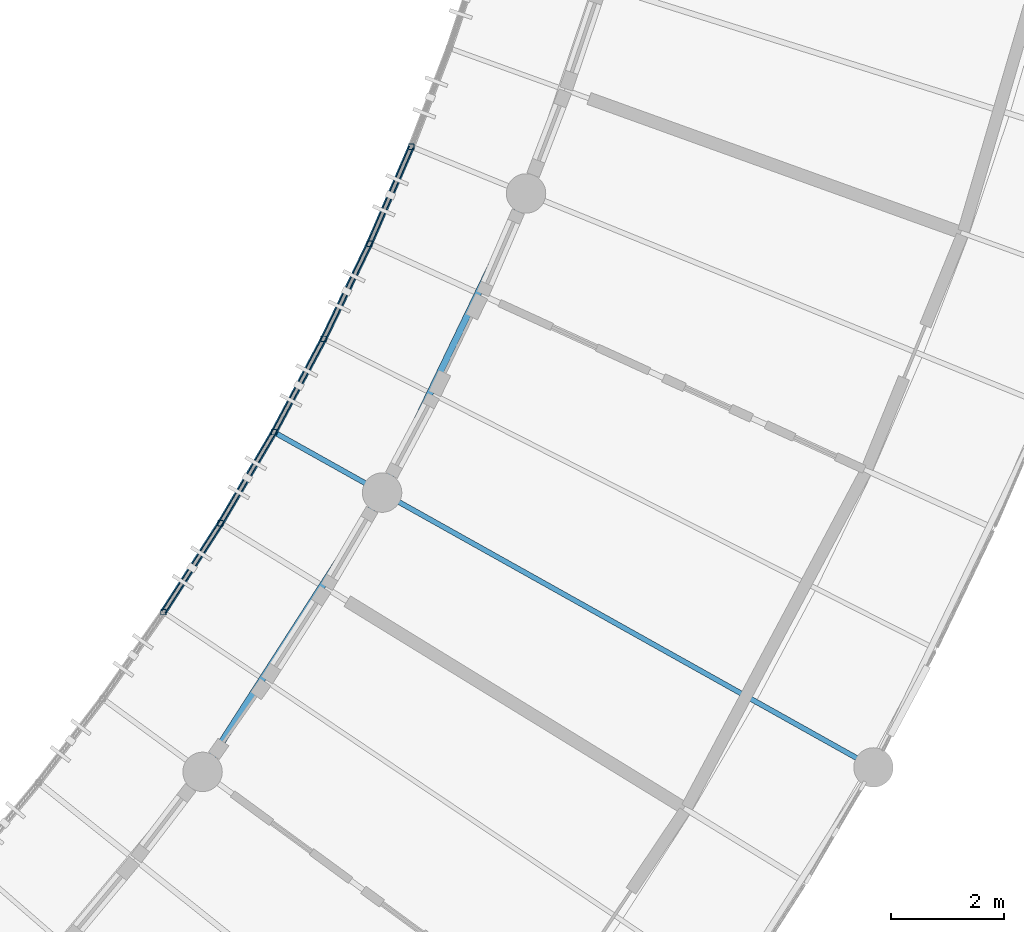
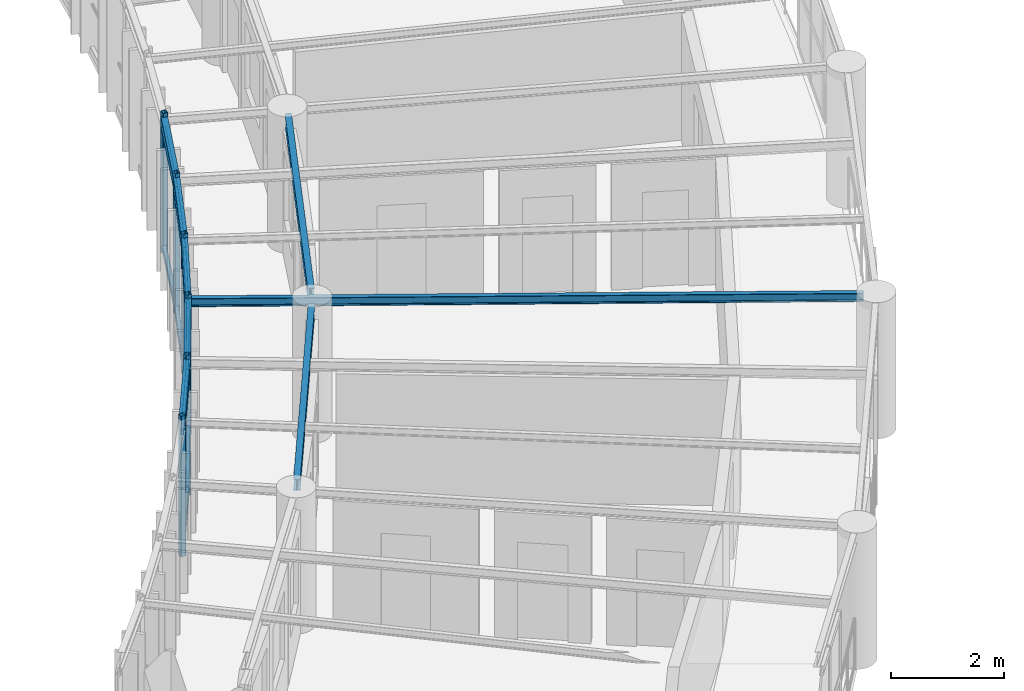
# One storey, part 13 of 123: 16 members, 8 beams.
"""IFC4 building model written with IfcOpenShell, lengths in metres."""

from ifc_helpers import new_model, si_unit, direction, frame, origin, origin_2d, place, context, subcontext, project, spatial, hollow_rectangle, i_section, extrude, material, material_profile, profile_set, type_object, element, save


model = new_model("IFC4")

# Units and contexts
model_context = context("Model", 3, precision=1e-05, world=origin(), true_north=direction((0.0, 1.0)))
body_context = subcontext(model_context, "Body", "Model", "MODEL_VIEW")
ifc_project = project(units=[si_unit("LENGTHUNIT", "METRE"), si_unit("AREAUNIT", "SQUARE_METRE"), si_unit("VOLUMEUNIT", "CUBIC_METRE"), si_unit("PLANEANGLEUNIT", "RADIAN"), si_unit("MASSUNIT", "GRAM", prefix="KILO"), si_unit("POWERUNIT", "WATT"), si_unit("THERMODYNAMICTEMPERATUREUNIT", "KELVIN")], contexts=[model_context])

# Site, building, storey
site_placement = place(None, origin())
site = spatial("IfcSite", under=ifc_project, at=site_placement, CompositionType="ELEMENT")
building_placement = place(site_placement, origin())
building = spatial("IfcBuilding", under=site, at=building_placement, Name="Ruvembo Vaulted Housing Court", CompositionType="ELEMENT")
storey_placement = place(building_placement, frame((0.0, 0.0, 7.699951171875)))
storey = spatial("IfcBuildingStorey", under=building, at=storey_placement, Name="L02", CompositionType="ELEMENT", Elevation=7.699951171875)

# Beams
ifc_material = material(Name="Steel S355J2", Category="steel")
ifc_material_profile_1 = material_profile(ifc_material, i_section(OverallWidth=0.091064453125, OverallDepth=0.179931640625, WebThickness=0.00537109375, FlangeThickness=0.008056640625, FilletRadius=0.009033203125, at=origin_2d()), Name="IPE 180")
ifc_profile_set_1 = profile_set([ifc_material_profile_1], Name="Steel S355J2")
beam_type_1 = type_object("IfcBeamType", Name="BM-ST-IPE180", PredefinedType="JOIST", material=ifc_profile_set_1)
beam_1_placement = place(storey_placement, frame((52.420166015625, 45.801025390625, 2.85009765625), z_axis=(-0.872779724125, 0.488114282885, 0.0), x_axis=(-0.488114282885, -0.872779724125, 0.0)))
element("IfcBeam", 1, at=beam_1_placement, inside=storey, type_object=beam_type_1, Name="Scoop SC1 L02 Radial Steel Joist 6", PredefinedType="JOIST", context=body_context, shape_type="SweptSolid", body=[
    extrude(i_section(OverallWidth=0.091064453125, OverallDepth=0.179931640625, WebThickness=0.00537109375, FlangeThickness=0.008056640625, FilletRadius=0.009033203125, at=origin_2d()), origin(), (0.0, 0.0, 1.0), 12.010009765625),
])
ifc_material_profile_2 = material_profile(ifc_material, i_section(OverallWidth=0.1201171875, OverallDepth=0.239990234375, WebThickness=0.006103515625, FlangeThickness=0.009765625, FilletRadius=0.014892578125, at=origin_2d()), Name="IPE 240")
ifc_profile_set_2 = profile_set([ifc_material_profile_2], Name="Steel S355J2")
beam_type_2 = type_object("IfcBeamType", Name="BM-ST-IPE240", PredefinedType="BEAM", material=ifc_profile_set_2)
beam_2_placement = place(storey_placement, frame((40.828369140625, 45.80322265625, 2.822021484375), z_axis=(0.540821135915, 0.841137621883, 0.0), x_axis=(-0.841137621883, 0.540821135915, 0.0)))
element("IfcBeam", 2, at=beam_2_placement, inside=storey, type_object=beam_type_2, Name="Scoop SC1 L02 Chord Girder F3", PredefinedType="BEAM", context=body_context, shape_type="SweptSolid", body=[
    extrude(i_section(OverallWidth=0.1201171875, OverallDepth=0.239990234375, WebThickness=0.006103515625, FlangeThickness=0.009765625, FilletRadius=0.014892578125, at=origin_2d()), origin(), (0.0, 0.0, 1.0), 5.43701171875),
])
beam_3_placement = place(storey_placement, frame((43.992919921875, 50.77734375, 2.822021484375), z_axis=(0.433600933421, 0.901105005278, 0.0), x_axis=(-0.901105005278, 0.433600933421, 0.0)))
element("IfcBeam", 3, at=beam_3_placement, inside=storey, type_object=beam_type_2, Name="Scoop SC1 L02 Chord Girder F6", PredefinedType="BEAM", context=body_context, shape_type="SweptSolid", body=[
    extrude(i_section(OverallWidth=0.1201171875, OverallDepth=0.239990234375, WebThickness=0.006103515625, FlangeThickness=0.009765625, FilletRadius=0.014892578125, at=origin_2d()), origin(), (0.0, 0.0, 1.0), 5.436767578125),
])
beam_4_placement = place(storey_placement, frame((40.0087890625, 48.446533203125, 2.820068359375), z_axis=(0.540783890821, 0.841161567969, 0.0), x_axis=(-0.841161567969, 0.540783890821, 0.0)))
element("IfcBeam", 4, at=beam_4_placement, inside=storey, type_object=beam_type_2, Name="Scoop SC1 L02 Balcony Edge Spandrel 4", PredefinedType="BEAM", context=body_context, shape_type="SweptSolid", body=[
    extrude(i_section(OverallWidth=0.1201171875, OverallDepth=0.239990234375, WebThickness=0.006103515625, FlangeThickness=0.009765625, FilletRadius=0.014892578125, at=origin_2d()), origin(), (0.0, 0.0, 1.0), 1.876708984375),
])
beam_5_placement = place(storey_placement, frame((41.023681640625, 50.025146484375, 2.820068359375), z_axis=(0.505859733288, 0.862615748893, 0.0), x_axis=(-0.862615748893, 0.505859733288, 0.0)))
element("IfcBeam", 5, at=beam_5_placement, inside=storey, type_object=beam_type_2, Name="Scoop SC1 L02 Balcony Edge Spandrel 5", PredefinedType="BEAM", context=body_context, shape_type="SweptSolid", body=[
    extrude(i_section(OverallWidth=0.1201171875, OverallDepth=0.239990234375, WebThickness=0.006103515625, FlangeThickness=0.009765625, FilletRadius=0.014892578125, at=origin_2d()), origin(), (0.0, 0.0, 1.0), 1.87646484375),
])
beam_6_placement = place(storey_placement, frame((41.972900390625, 51.643798828125, 2.820068359375), z_axis=(0.470115552325, 0.882604876183, 0.0), x_axis=(-0.882604876183, 0.470115552325, 0.0)))
element("IfcBeam", 6, at=beam_6_placement, inside=storey, type_object=beam_type_2, Name="Scoop SC1 L02 Balcony Edge Spandrel 6", PredefinedType="BEAM", context=body_context, shape_type="SweptSolid", body=[
    extrude(i_section(OverallWidth=0.1201171875, OverallDepth=0.239990234375, WebThickness=0.006103515625, FlangeThickness=0.009765625, FilletRadius=0.014892578125, at=origin_2d()), origin(), (0.0, 0.0, 1.0), 1.876708984375),
])
for number, where, z_axis, x_axis, name in (
    (7, (42.855224609375, 53.30029296875, 2.820068359375), (0.433631756601, 0.901090172883, 0.0), (-0.901090172883, 0.433631756601, 0.0), "Scoop SC1 L02 Balcony Edge Spandrel 7"),
    (8, (43.6689453125, 54.9912109375, 2.820068359375), (0.396288974503, 0.918125834887, 0.0), (-0.918125834887, 0.396288974503, 0.0), "Scoop SC1 L02 Balcony Edge Spandrel 8"),
):
    element("IfcBeam", number, at=place(storey_placement, frame(where, z_axis=z_axis, x_axis=x_axis)), inside=storey, type_object=beam_type_2, Name=name, PredefinedType="BEAM", context=body_context, shape_type="SweptSolid", body=[
        extrude(i_section(OverallWidth=0.1201171875, OverallDepth=0.239990234375, WebThickness=0.006103515625, FlangeThickness=0.009765625, FilletRadius=0.014892578125, at=origin_2d()), origin(), (0.0, 0.0, 1.0), 1.87646484375),
    ])

# Members
ifc_material_profile_3 = material_profile(ifc_material, hollow_rectangle(XDim=0.06005859375, YDim=0.1201171875, WallThickness=0.0048828125, InnerFilletRadius=0.0048828125, OuterFilletRadius=0.010009765625, at=origin_2d()), Name="RHS 120x60x5")
ifc_profile_set_3 = profile_set([ifc_material_profile_3], Name="Steel S355J2")
member_type_1 = type_object("IfcMemberType", Name="MEM-CAR-RHS120", PredefinedType="CHORD", material=ifc_profile_set_3)
member_1_placement = place(storey_placement, frame((40.0087890625, 48.446533203125, 2.64306640625), z_axis=(0.540783890821, 0.841161567969, 0.0), x_axis=(-0.841161567969, 0.540783890821, 0.0)))
element("IfcMember", 9, at=member_1_placement, inside=storey, type_object=member_type_1, Name="Scoop SC1 L02 Upper Louvre Carrier Rail 4", PredefinedType="CHORD", context=body_context, shape_type="SweptSolid", body=[
    extrude(hollow_rectangle(XDim=0.06005859375, YDim=0.1201171875, WallThickness=0.0048828125, InnerFilletRadius=0.0048828125, OuterFilletRadius=0.010009765625, at=origin_2d()), origin(), (0.0, 0.0, 1.0), 1.876708984375),
])
member_2_placement = place(storey_placement, frame((41.023681640625, 50.025146484375, 2.64306640625), z_axis=(0.505859733288, 0.862615748893, 0.0), x_axis=(-0.862615748893, 0.505859733288, 0.0)))
element("IfcMember", 10, at=member_2_placement, inside=storey, type_object=member_type_1, Name="Scoop SC1 L02 Upper Louvre Carrier Rail 5", PredefinedType="CHORD", context=body_context, shape_type="SweptSolid", body=[
    extrude(hollow_rectangle(XDim=0.06005859375, YDim=0.1201171875, WallThickness=0.0048828125, InnerFilletRadius=0.0048828125, OuterFilletRadius=0.010009765625, at=origin_2d()), origin(), (0.0, 0.0, 1.0), 1.87646484375),
])
member_3_placement = place(storey_placement, frame((41.972900390625, 51.643798828125, 2.64306640625), z_axis=(0.470115552325, 0.882604876183, 0.0), x_axis=(-0.882604876183, 0.470115552325, 0.0)))
element("IfcMember", 11, at=member_3_placement, inside=storey, type_object=member_type_1, Name="Scoop SC1 L02 Upper Louvre Carrier Rail 6", PredefinedType="CHORD", context=body_context, shape_type="SweptSolid", body=[
    extrude(hollow_rectangle(XDim=0.06005859375, YDim=0.1201171875, WallThickness=0.0048828125, InnerFilletRadius=0.0048828125, OuterFilletRadius=0.010009765625, at=origin_2d()), origin(), (0.0, 0.0, 1.0), 1.876708984375),
])
for number, where, z_axis, x_axis, name in (
    (12, (42.855224609375, 53.30029296875, 2.64306640625), (0.433631756601, 0.901090172883, 0.0), (-0.901090172883, 0.433631756601, 0.0), "Scoop SC1 L02 Upper Louvre Carrier Rail 7"),
    (13, (43.6689453125, 54.9912109375, 2.64306640625), (0.396288974503, 0.918125834887, 0.0), (-0.918125834887, 0.396288974503, 0.0), "Scoop SC1 L02 Upper Louvre Carrier Rail 8"),
):
    element("IfcMember", number, at=place(storey_placement, frame(where, z_axis=z_axis, x_axis=x_axis)), inside=storey, type_object=member_type_1, Name=name, PredefinedType="CHORD", context=body_context, shape_type="SweptSolid", body=[
        extrude(hollow_rectangle(XDim=0.06005859375, YDim=0.1201171875, WallThickness=0.0048828125, InnerFilletRadius=0.0048828125, OuterFilletRadius=0.010009765625, at=origin_2d()), origin(), (0.0, 0.0, 1.0), 1.87646484375),
    ])
ifc_material_profile_4 = material_profile(ifc_material, hollow_rectangle(XDim=0.080078125, YDim=0.14990234375, WallThickness=0.00634765625, InnerFilletRadius=0.00634765625, OuterFilletRadius=0.0126953125, at=origin_2d()), Name="RHS 150x80x6.3")
ifc_profile_set_4 = profile_set([ifc_material_profile_4], Name="Steel S355J2")
member_type_2 = type_object("IfcMemberType", Name="MEM-CAR-RHS150", PredefinedType="CHORD", material=ifc_profile_set_4)
member_4_placement = place(storey_placement, frame((40.0087890625, 48.446533203125, 0.094970703125), z_axis=(0.540783890821, 0.841161567969, 0.0), x_axis=(-0.841161567969, 0.540783890821, 0.0)))
element("IfcMember", 14, at=member_4_placement, inside=storey, type_object=member_type_2, Name="Scoop SC1 L02 Lower Louvre Carrier Rail 4", PredefinedType="CHORD", context=body_context, shape_type="SweptSolid", body=[
    extrude(hollow_rectangle(XDim=0.080078125, YDim=0.14990234375, WallThickness=0.00634765625, InnerFilletRadius=0.00634765625, OuterFilletRadius=0.0126953125, at=origin_2d()), origin(), (0.0, 0.0, 1.0), 1.876708984375),
])
member_5_placement = place(storey_placement, frame((41.023681640625, 50.025146484375, 0.094970703125), z_axis=(0.505859733288, 0.862615748893, 0.0), x_axis=(-0.862615748893, 0.505859733288, 0.0)))
element("IfcMember", 15, at=member_5_placement, inside=storey, type_object=member_type_2, Name="Scoop SC1 L02 Lower Louvre Carrier Rail 5", PredefinedType="CHORD", context=body_context, shape_type="SweptSolid", body=[
    extrude(hollow_rectangle(XDim=0.080078125, YDim=0.14990234375, WallThickness=0.00634765625, InnerFilletRadius=0.00634765625, OuterFilletRadius=0.0126953125, at=origin_2d()), origin(), (0.0, 0.0, 1.0), 1.87646484375),
])
member_6_placement = place(storey_placement, frame((41.972900390625, 51.643798828125, 0.094970703125), z_axis=(0.470115552325, 0.882604876183, 0.0), x_axis=(-0.882604876183, 0.470115552325, 0.0)))
element("IfcMember", 16, at=member_6_placement, inside=storey, type_object=member_type_2, Name="Scoop SC1 L02 Lower Louvre Carrier Rail 6", PredefinedType="CHORD", context=body_context, shape_type="SweptSolid", body=[
    extrude(hollow_rectangle(XDim=0.080078125, YDim=0.14990234375, WallThickness=0.00634765625, InnerFilletRadius=0.00634765625, OuterFilletRadius=0.0126953125, at=origin_2d()), origin(), (0.0, 0.0, 1.0), 1.876708984375),
])
for number, where, z_axis, x_axis, name in (
    (17, (42.855224609375, 53.30029296875, 0.094970703125), (0.433631756601, 0.901090172883, 0.0), (-0.901090172883, 0.433631756601, 0.0), "Scoop SC1 L02 Lower Louvre Carrier Rail 7"),
    (18, (43.6689453125, 54.9912109375, 0.094970703125), (0.396288974503, 0.918125834887, 0.0), (-0.918125834887, 0.396288974503, 0.0), "Scoop SC1 L02 Lower Louvre Carrier Rail 8"),
):
    element("IfcMember", number, at=place(storey_placement, frame(where, z_axis=z_axis, x_axis=x_axis)), inside=storey, type_object=member_type_2, Name=name, PredefinedType="CHORD", context=body_context, shape_type="SweptSolid", body=[
        extrude(hollow_rectangle(XDim=0.080078125, YDim=0.14990234375, WallThickness=0.00634765625, InnerFilletRadius=0.00634765625, OuterFilletRadius=0.0126953125, at=origin_2d()), origin(), (0.0, 0.0, 1.0), 1.87646484375),
    ])
ifc_material_profile_5 = material_profile(ifc_material, hollow_rectangle(XDim=0.10009765625, YDim=0.10009765625, WallThickness=0.00634765625, InnerFilletRadius=0.00634765625, OuterFilletRadius=0.0126953125, at=origin_2d()), Name="SHS 100x100x6.3")
ifc_profile_set_5 = profile_set([ifc_material_profile_5], Name="Steel S355J2")
member_type_3 = type_object("IfcMemberType", Name="MEM-FRM-SHS100", PredefinedType="STRUT", material=ifc_profile_set_5)
for number, where, z_axis, x_axis, name in (
    (19, (40.0087890625, 48.446533203125, -0.014892578125), (0.0, 0.0, 1.0), (1.0, 0.0, 0.0), "Scoop SC1 L02 Louvre Frame Post 4"),
    (20, (41.023681640625, 50.025146484375, -0.014892578125), (0.0, 0.0, 1.0), (1.0, 0.0, 0.0), "Scoop SC1 L02 Louvre Frame Post 5"),
    (21, (41.972900390625, 51.643798828125, -0.014892578125), (0.0, 0.0, 1.0), (1.0, 0.0, 0.0), "Scoop SC1 L02 Louvre Frame Post 6"),
    (22, (42.855224609375, 53.30029296875, -0.014892578125), (0.0, 0.0, 1.0), (1.0, 0.0, 0.0), "Scoop SC1 L02 Louvre Frame Post 7"),
    (23, (43.6689453125, 54.9912109375, -0.014892578125), (0.0, 0.0, 1.0), (1.0, 0.0, 0.0), "Scoop SC1 L02 Louvre Frame Post 8"),
    (24, (44.41259765625, 56.714111328125, -0.014892578125), (0.0, 0.0, 1.0), (1.0, 0.0, 0.0), "Scoop SC1 L02 Louvre Frame Post 9"),
):
    element("IfcMember", number, at=place(storey_placement, frame(where, z_axis=z_axis, x_axis=x_axis)), inside=storey, type_object=member_type_3, Name=name, PredefinedType="STRUT", context=body_context, shape_type="SweptSolid", body=[
        extrude(hollow_rectangle(XDim=0.10009765625, YDim=0.10009765625, WallThickness=0.00634765625, InnerFilletRadius=0.00634765625, OuterFilletRadius=0.0126953125, at=origin_2d()), origin(), (0.0, 0.0, 1.0), 3.041015625),
    ])

save(model, "model.ifc")
